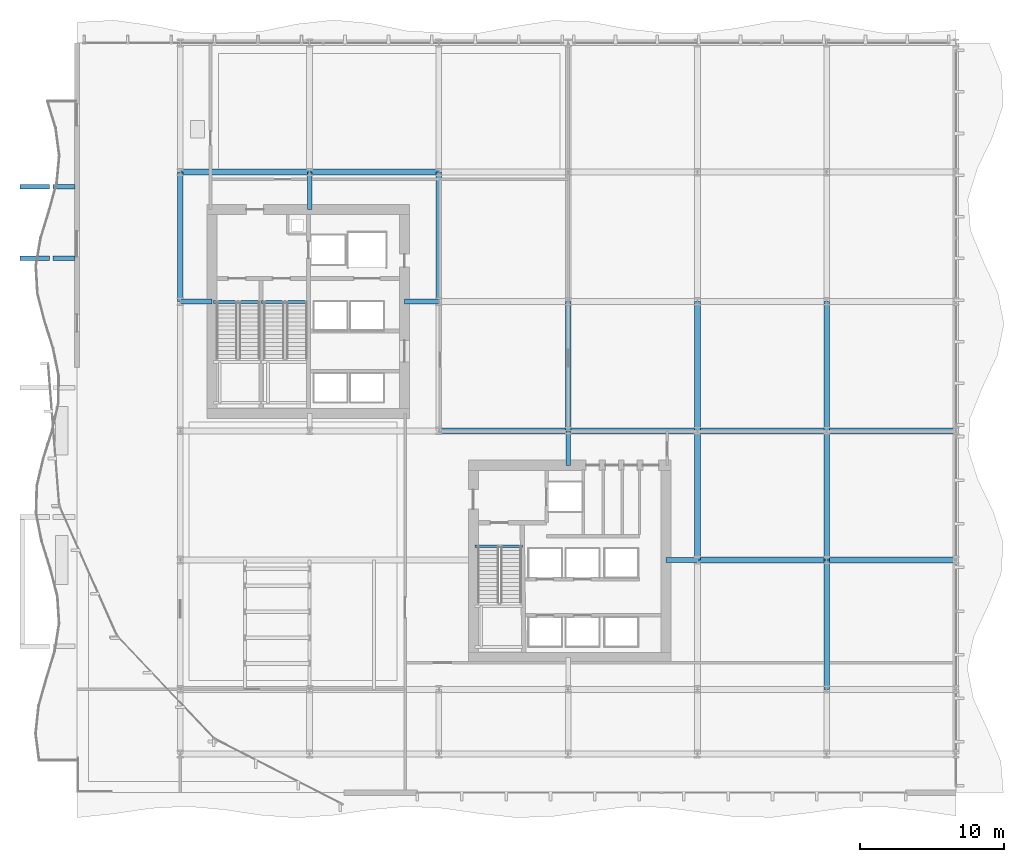
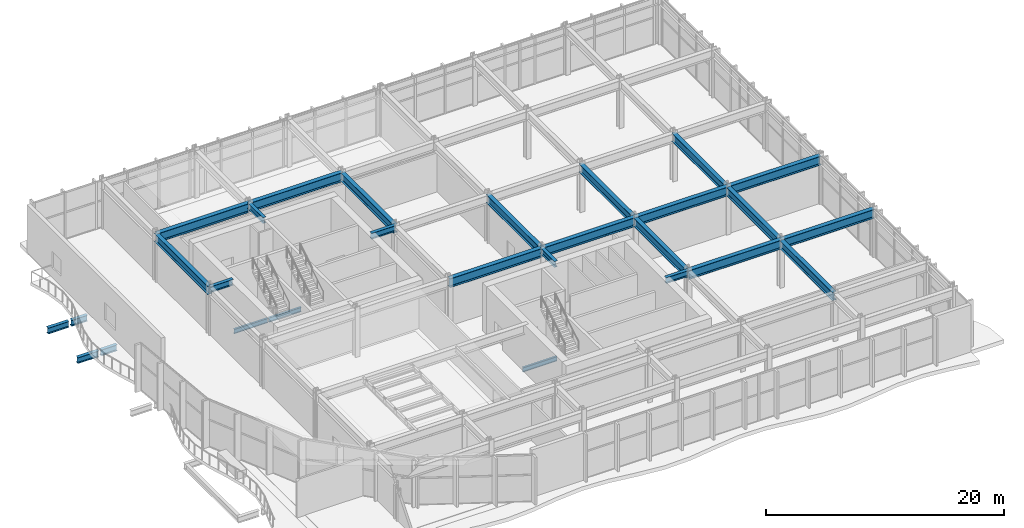
# One storey, part 11 of 33: 28 beams.
"""IFC4 building model written with IfcOpenShell, lengths in metres."""

from ifc_helpers import new_model, si_unit, direction, frame, origin, origin_2d, place, context, subcontext, project, spatial, i_section, extrude, material, material_profile, profile_set, type_object, element, save


model = new_model("IFC4")

# Units and contexts
model_context = context("Model", 3, precision=1e-05, world=origin(), true_north=direction((0.0, 1.0)))
body_context = subcontext(model_context, "Body", "Model", "MODEL_VIEW")
ifc_project = project(units=[si_unit("LENGTHUNIT", "METRE"), si_unit("AREAUNIT", "SQUARE_METRE"), si_unit("VOLUMEUNIT", "CUBIC_METRE"), si_unit("PLANEANGLEUNIT", "RADIAN"), si_unit("MASSUNIT", "GRAM", prefix="KILO")], contexts=[model_context])

# Site, building, storey
site_placement = place(None, origin())
site = spatial("IfcSite", under=ifc_project, at=site_placement, CompositionType="ELEMENT")
building_placement = place(site_placement, origin())
building = spatial("IfcBuilding", under=site, at=building_placement, Name="Solvaryn Broadcast Tower", CompositionType="ELEMENT")
storey_placement = place(building_placement, frame((0.0, 0.0, 5.800048828125)))
storey = spatial("IfcBuildingStorey", under=building, at=storey_placement, Name="L01", CompositionType="ELEMENT", Elevation=5.800048828125)

# Beams
ifc_material_1 = material(Name="Steel ASTM A992 Grade 50", Category="steel")
ifc_material_profile_1 = material_profile(ifc_material_1, i_section(OverallWidth=0.323974609375, OverallDepth=0.611083984375, WebThickness=0.0126953125, FlangeThickness=0.01904296875, FilletRadius=0.014892578125, at=origin_2d()))
ifc_profile_set_1 = profile_set([ifc_material_profile_1], Name="Steel ASTM A992 Grade 50")
beam_type_1 = type_object("IfcBeamType", Name="BM-B1-W24X104", PredefinedType="BEAM", material=ifc_profile_set_1)
for number, where, z_axis, x_axis, name in (
    (1, (1.675048828125, 39.0, -0.62548828125), (-1.0, 0.0, 0.0), (0.0, -1.0, 0.0), "L01 West Terrace Back-Span Beam Y39"),
    (2, (1.675048828125, 44.0, -0.62548828125), (-1.0, 0.0, 0.0), (0.0, -1.0, 0.0), "L01 West Terrace Back-Span Beam Y44"),
):
    element("IfcBeam", number, at=place(storey_placement, frame(where, z_axis=z_axis, x_axis=x_axis)), inside=storey, type_object=beam_type_1, Name=name, PredefinedType="BEAM", context=body_context, shape_type="SweptSolid", body=[
        extrude(i_section(OverallWidth=0.323974609375, OverallDepth=0.611083984375, WebThickness=0.0126953125, FlangeThickness=0.01904296875, FilletRadius=0.014892578125, at=origin_2d()), origin(), (0.0, 0.0, 1.0), 1.550048828125),
    ])
beam_1_placement = place(storey_placement, frame((9.0, 36.0, 4.574462890625), z_axis=(1.0, 0.0, 0.0), x_axis=(0.0, 1.0, 0.0)))
element("IfcBeam", 3, at=beam_1_placement, inside=storey, type_object=beam_type_1, Name="L01 Core Tie Beam CTW1", PredefinedType="BEAM", context=body_context, shape_type="SweptSolid", body=[
    extrude(i_section(OverallWidth=0.323974609375, OverallDepth=0.611083984375, WebThickness=0.0126953125, FlangeThickness=0.01904296875, FilletRadius=0.014892578125, at=origin_2d()), origin(), (0.0, 0.0, 1.0), 2.199951171875),
])
beam_2_placement = place(storey_placement, frame((24.60009765625, 36.0, 4.574462890625), z_axis=(1.0, 0.0, 0.0), x_axis=(0.0, 1.0, 0.0)))
element("IfcBeam", 4, at=beam_2_placement, inside=storey, type_object=beam_type_1, Name="L01 Core Tie Beam CTW2", PredefinedType="BEAM", context=body_context, shape_type="SweptSolid", body=[
    extrude(i_section(OverallWidth=0.323974609375, OverallDepth=0.611083984375, WebThickness=0.0126953125, FlangeThickness=0.01904296875, FilletRadius=0.014892578125, at=origin_2d()), origin(), (0.0, 0.0, 1.0), 2.39990234375),
])
beam_3_placement = place(storey_placement, frame((18.0, 42.39990234375, 4.574462890625), z_axis=(0.0, 1.0, 0.0), x_axis=(-1.0, 0.0, 0.0)))
element("IfcBeam", 5, at=beam_3_placement, inside=storey, type_object=beam_type_1, Name="L01 Core Tie Beam CTW3", PredefinedType="BEAM", context=body_context, shape_type="SweptSolid", body=[
    extrude(i_section(OverallWidth=0.323974609375, OverallDepth=0.611083984375, WebThickness=0.0126953125, FlangeThickness=0.01904296875, FilletRadius=0.014892578125, at=origin_2d()), origin(), (0.0, 0.0, 1.0), 2.60009765625),
])
beam_4_placement = place(storey_placement, frame((36.0, 24.60009765625, 4.574462890625), z_axis=(0.0, 1.0, 0.0), x_axis=(-1.0, 0.0, 0.0)))
element("IfcBeam", 6, at=beam_4_placement, inside=storey, type_object=beam_type_1, Name="L01 Core Tie Beam CTE2", PredefinedType="BEAM", context=body_context, shape_type="SweptSolid", body=[
    extrude(i_section(OverallWidth=0.323974609375, OverallDepth=0.611083984375, WebThickness=0.0126953125, FlangeThickness=0.01904296875, FilletRadius=0.014892578125, at=origin_2d()), origin(), (0.0, 0.0, 1.0), 2.39990234375),
])
beam_5_placement = place(storey_placement, frame((42.800048828125, 18.0, 4.574462890625), z_axis=(1.0, 0.0, 0.0), x_axis=(0.0, 1.0, 0.0)))
element("IfcBeam", 7, at=beam_5_placement, inside=storey, type_object=beam_type_1, Name="L01 Core Tie Beam CTE3", PredefinedType="BEAM", context=body_context, shape_type="SweptSolid", body=[
    extrude(i_section(OverallWidth=0.323974609375, OverallDepth=0.611083984375, WebThickness=0.0126953125, FlangeThickness=0.01904296875, FilletRadius=0.014892578125, at=origin_2d()), origin(), (0.0, 0.0, 1.0), 2.199951171875),
])
ifc_material_2 = material(Name="Steel ASTM A992 Grade 50", Category="steel")
ifc_material_profile_2 = material_profile(ifc_material_2, i_section(OverallWidth=0.18994140625, OverallDepth=0.45703125, WebThickness=0.009033203125, FlangeThickness=0.014404296875, FilletRadius=0.011962890625, at=origin_2d()))
ifc_profile_set_2 = profile_set([ifc_material_profile_2], Name="Steel ASTM A992 Grade 50")
beam_type_2 = type_object("IfcBeamType", Name="BM-B4-W18X50", PredefinedType="BEAM", material=ifc_profile_set_2)
beam_6_placement = place(storey_placement, frame((11.300048828125, 35.9599609375, -0.548583984375), z_axis=(1.0, 0.0, 0.0), x_axis=(0.0, 1.0, 0.0)))
element("IfcBeam", 8, at=beam_6_placement, inside=storey, type_object=beam_type_2, Name="L01 ST1 Stair Well Trimmer Beam", PredefinedType="BEAM", context=body_context, shape_type="SweptSolid", body=[
    extrude(i_section(OverallWidth=0.18994140625, OverallDepth=0.45703125, WebThickness=0.009033203125, FlangeThickness=0.014404296875, FilletRadius=0.011962890625, at=origin_2d()), origin(), (0.0, 0.0, 1.0), 3.280029296875),
])
beam_7_placement = place(storey_placement, frame((14.659912109375, 35.9599609375, -0.548583984375), z_axis=(1.0, 0.0, 0.0), x_axis=(0.0, 1.0, 0.0)))
element("IfcBeam", 9, at=beam_7_placement, inside=storey, type_object=beam_type_2, Name="L01 ST2 Stair Well Trimmer Beam", PredefinedType="BEAM", context=body_context, shape_type="SweptSolid", body=[
    extrude(i_section(OverallWidth=0.18994140625, OverallDepth=0.45703125, WebThickness=0.009033203125, FlangeThickness=0.014404296875, FilletRadius=0.011962890625, at=origin_2d()), origin(), (0.0, 0.0, 1.0), 3.14013671875),
])
beam_8_placement = place(storey_placement, frame((29.5, 18.9599609375, -0.548583984375), z_axis=(1.0, 0.0, 0.0), x_axis=(0.0, 1.0, 0.0)))
element("IfcBeam", 10, at=beam_8_placement, inside=storey, type_object=beam_type_2, Name="L01 ST3 Stair Well Trimmer Beam", PredefinedType="BEAM", context=body_context, shape_type="SweptSolid", body=[
    extrude(i_section(OverallWidth=0.18994140625, OverallDepth=0.45703125, WebThickness=0.009033203125, FlangeThickness=0.014404296875, FilletRadius=0.011962890625, at=origin_2d()), origin(), (0.0, 0.0, 1.0), 3.320068359375),
])
ifc_material_3 = material(Name="Steel ASTM A992 Grade 50", Category="steel")
ifc_material_profile_3 = material_profile(ifc_material_3, i_section(OverallWidth=0.323974609375, OverallDepth=0.611083984375, WebThickness=0.0126953125, FlangeThickness=0.01904296875, FilletRadius=0.014892578125, at=origin_2d()))
ifc_profile_set_3 = profile_set([ifc_material_profile_3], Name="Steel ASTM A992 Grade 50")
beam_type_3 = type_object("IfcBeamType", Name="BM-CANT-TER", PredefinedType="BEAM", material=ifc_profile_set_3)
for number, where, z_axis, x_axis, name in (
    (11, (-0.125, 39.0, -0.62548828125), (-1.0, 0.0, 0.0), (0.0, -1.0, 0.0), "L01 West Terrace Cantilever Beam Y39"),
    (12, (-0.125, 44.0, -0.62548828125), (-1.0, 0.0, 0.0), (0.0, -1.0, 0.0), "L01 West Terrace Cantilever Beam Y44"),
):
    element("IfcBeam", number, at=place(storey_placement, frame(where, z_axis=z_axis, x_axis=x_axis)), inside=storey, type_object=beam_type_3, Name=name, PredefinedType="BEAM", context=body_context, shape_type="SweptSolid", body=[
        extrude(i_section(OverallWidth=0.323974609375, OverallDepth=0.611083984375, WebThickness=0.0126953125, FlangeThickness=0.01904296875, FilletRadius=0.014892578125, at=origin_2d()), origin(), (0.0, 0.0, 1.0), 2.02490234375),
    ])
ifc_material_4 = material(Name="Steel ASTM A992 Grade 50", Category="steel")
ifc_material_profile_4 = material_profile(ifc_material_4, i_section(OverallWidth=0.41796875, OverallDepth=0.927001953125, WebThickness=0.019287109375, FlangeThickness=0.031982421875, FilletRadius=0.02392578125, at=origin_2d()))
ifc_profile_set_4 = profile_set([ifc_material_profile_4], Name="Steel ASTM A992 Grade 50")
beam_type_4 = type_object("IfcBeamType", Name="BM-G2-W36X231", PredefinedType="BEAM", material=ifc_profile_set_4)
for number, where, z_axis, x_axis, name in (
    (13, (45.0, 18.0, 4.41650390625), (1.0, 0.0, 0.0), (0.0, 1.0, 0.0), "L01 Primary Beam X (45-54 @ Y=18)"),
    (14, (54.0, 18.0, 4.41650390625), (1.0, 0.0, 0.0), (0.0, 1.0, 0.0), "L01 Primary Beam X (54-63 @ Y=18)"),
    (15, (27.0, 27.0, 4.41650390625), (1.0, 0.0, 0.0), (0.0, 1.0, 0.0), "L01 Primary Beam X (27-36 @ Y=27)"),
    (16, (36.0, 27.0, 4.41650390625), (1.0, 0.0, 0.0), (0.0, 1.0, 0.0), "L01 Primary Beam X (36-45 @ Y=27)"),
    (17, (45.0, 27.0, 4.41650390625), (1.0, 0.0, 0.0), (0.0, 1.0, 0.0), "L01 Primary Beam X (45-54 @ Y=27)"),
    (18, (54.0, 27.0, 4.41650390625), (1.0, 0.0, 0.0), (0.0, 1.0, 0.0), "L01 Primary Beam X (54-63 @ Y=27)"),
    (19, (9.0, 45.0, 4.41650390625), (1.0, 0.0, 0.0), (0.0, 1.0, 0.0), "L01 Primary Beam X (9-18 @ Y=45)"),
    (20, (18.0, 45.0, 4.41650390625), (1.0, 0.0, 0.0), (0.0, 1.0, 0.0), "L01 Primary Beam X (18-27 @ Y=45)"),
):
    element("IfcBeam", number, at=place(storey_placement, frame(where, z_axis=z_axis, x_axis=x_axis)), inside=storey, type_object=beam_type_4, Name=name, PredefinedType="BEAM", context=body_context, shape_type="SweptSolid", body=[
        extrude(i_section(OverallWidth=0.41796875, OverallDepth=0.927001953125, WebThickness=0.019287109375, FlangeThickness=0.031982421875, FilletRadius=0.02392578125, at=origin_2d()), origin(), (0.0, 0.0, 1.0), 9.0),
    ])
ifc_material_5 = material(Name="Steel ASTM A992 Grade 50", Category="steel")
ifc_material_profile_5 = material_profile(ifc_material_5, i_section(OverallWidth=0.39990234375, OverallDepth=0.85498046875, WebThickness=0.018310546875, FlangeThickness=0.029296875, FilletRadius=0.02001953125, at=origin_2d()))
ifc_profile_set_5 = profile_set([ifc_material_profile_5], Name="Steel ASTM A992 Grade 50")
beam_type_5 = type_object("IfcBeamType", Name="BM-G3-W33X201", PredefinedType="BEAM", material=ifc_profile_set_5)
for number, where, z_axis, x_axis, name in (
    (21, (9.0, 36.0, 4.452392578125), (0.0, 1.0, 0.0), (-1.0, 0.0, 0.0), "L01 Primary Beam Y (36-45 @ X=9)"),
    (22, (27.0, 36.0, 4.452392578125), (0.0, 1.0, 0.0), (-1.0, 0.0, 0.0), "L01 Primary Beam Y (36-45 @ X=27)"),
    (23, (36.0, 27.0, 4.452392578125), (0.0, 1.0, 0.0), (-1.0, 0.0, 0.0), "L01 Primary Beam Y (27-36 @ X=36)"),
    (24, (45.0, 18.0, 4.452392578125), (0.0, 1.0, 0.0), (-1.0, 0.0, 0.0), "L01 Primary Beam Y (18-27 @ X=45)"),
    (25, (45.0, 27.0, 4.452392578125), (0.0, 1.0, 0.0), (-1.0, 0.0, 0.0), "L01 Primary Beam Y (27-36 @ X=45)"),
    (26, (54.0, 9.0, 4.452392578125), (0.0, 1.0, 0.0), (-1.0, 0.0, 0.0), "L01 Primary Beam Y (9-18 @ X=54)"),
    (27, (54.0, 18.0, 4.452392578125), (0.0, 1.0, 0.0), (-1.0, 0.0, 0.0), "L01 Primary Beam Y (18-27 @ X=54)"),
    (28, (54.0, 27.0, 4.452392578125), (0.0, 1.0, 0.0), (-1.0, 0.0, 0.0), "L01 Primary Beam Y (27-36 @ X=54)"),
):
    element("IfcBeam", number, at=place(storey_placement, frame(where, z_axis=z_axis, x_axis=x_axis)), inside=storey, type_object=beam_type_5, Name=name, PredefinedType="BEAM", context=body_context, shape_type="SweptSolid", body=[
        extrude(i_section(OverallWidth=0.39990234375, OverallDepth=0.85498046875, WebThickness=0.018310546875, FlangeThickness=0.029296875, FilletRadius=0.02001953125, at=origin_2d()), origin(), (0.0, 0.0, 1.0), 9.0),
    ])

save(model, "model.ifc")
